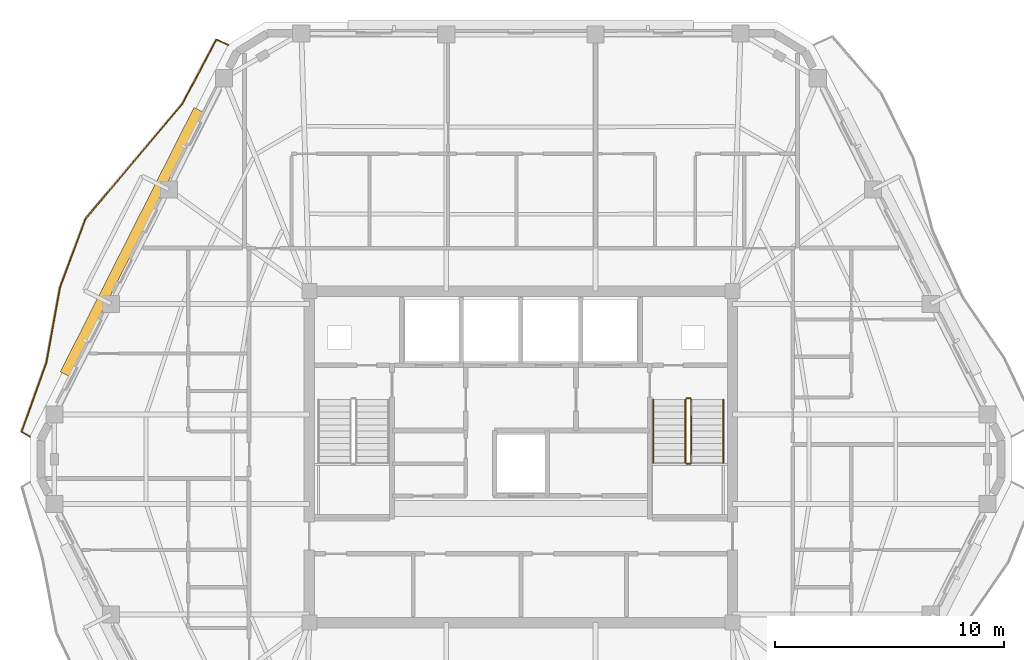
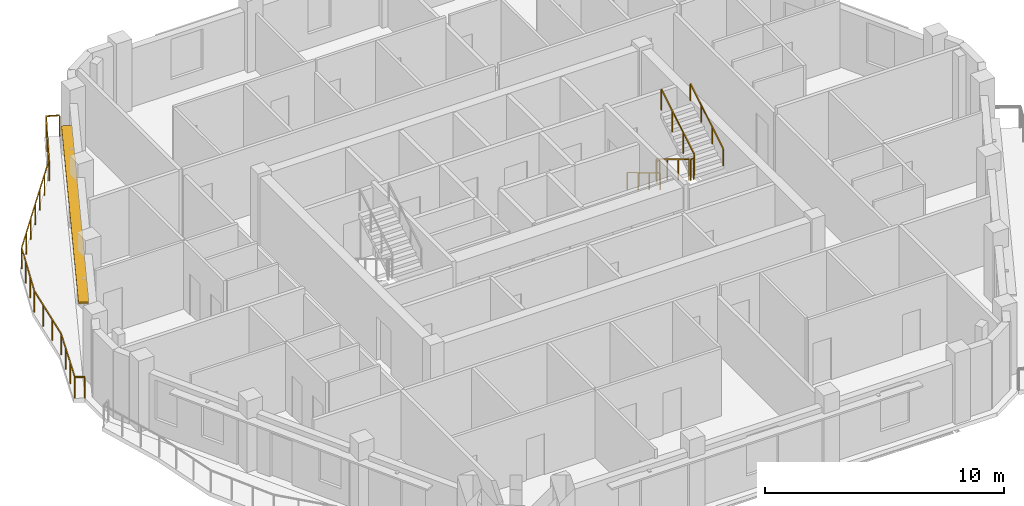
# One storey, part 10 of 11: 7 railings, 1 shading device.
"""IFC4 building model written with IfcOpenShell, lengths in metres."""

from ifc_helpers import new_model, si_unit, direction, frame, origin, origin_2d, place, context, subcontext, project, spatial, rectangle, extrude, material, layer, layer_set, type_object, element, save


model = new_model("IFC4")

# Units and contexts
model_context = context("Model", 3, precision=1e-05, world=origin(), true_north=direction((0.0, 1.0)))
body_context = subcontext(model_context, "Body", "Model", "MODEL_VIEW")
ifc_project = project(units=[si_unit("LENGTHUNIT", "METRE"), si_unit("AREAUNIT", "SQUARE_METRE"), si_unit("VOLUMEUNIT", "CUBIC_METRE"), si_unit("PLANEANGLEUNIT", "RADIAN"), si_unit("MASSUNIT", "GRAM", prefix="KILO")], contexts=[model_context])

# Site, building, storey
site_placement = place(None, origin())
site = spatial("IfcSite", under=ifc_project, at=site_placement, CompositionType="ELEMENT")
building_placement = place(site_placement, origin())
building = spatial("IfcBuilding", under=site, at=building_placement, Name="Cinnabar Lancet Tower", CompositionType="ELEMENT")
storey_placement = place(building_placement, frame((0.0, 0.0, 256.199951171875)))
storey = spatial("IfcBuildingStorey", under=building, at=storey_placement, Name="L68", CompositionType="ELEMENT", Elevation=256.199951171875)

# Railing
ifc_material_1 = material(Name="Laminated safety glass and bronze stainless steel balustrade", Category="steel")
railing_type_1 = type_object("IfcRailingType", Name="ENV-RLG-BAL-1100", PredefinedType="BALUSTRADE", material=ifc_material_1)
railing_1_placement = place(storey_placement, frame((19.638916015625, 43.867919921875, 0.0)))
element("IfcRailing", 1, at=railing_1_placement, inside=storey, type_object=railing_type_1, Name="L68 Face 5 Wave Balcony Balustrade", PredefinedType="BALUSTRADE", context=body_context, shape_type="SweptSolid", body=[
    extrude(rectangle(XDim=0.048095703125, YDim=0.048095703125, at=origin_2d()), frame((0.0, 0.0, 1.076171875), z_axis=(-0.917180435213, 0.398472143647, 0.0), x_axis=(-0.398472143647, -0.917180435213, 0.0)), (0.0, 0.0, 1.0), 0.5625),
    extrude(rectangle(XDim=0.048095703125, YDim=0.048095703125, at=origin_2d()), frame((-0.515869140625, 0.22412109375, 1.076171875), z_axis=(-0.467228523342, -0.884136588416, 0.0), x_axis=(0.884136588416, -0.467228523342, 0.0)), (0.0, 0.0, 1.0), 3.1826171875),
    extrude(rectangle(XDim=0.048095703125, YDim=0.048095703125, at=origin_2d()), frame((-2.0029296875, -2.58984375, 1.076171875), z_axis=(-0.645078125536, -0.764116621959, 0.0), x_axis=(0.764116621959, -0.645078125536, 0.0)), (0.0, 0.0, 1.0), 3.269287109375),
    extrude(rectangle(XDim=0.048095703125, YDim=0.048095703125, at=origin_2d()), frame((-4.11181640625, -5.087890625, 1.076171875), z_axis=(-0.643910235031, -0.765101045106, 0.0), x_axis=(0.765101045106, -0.643910235031, 0.0)), (0.0, 0.0, 1.0), 3.267578125),
    extrude(rectangle(XDim=0.048095703125, YDim=0.048095703125, at=origin_2d()), frame((-6.2158203125, -7.587890625, 1.076171875), z_axis=(-0.348814752376, -0.937191692518, 0.0), x_axis=(0.937191692518, -0.348814752376, 0.0)), (0.0, 0.0, 1.0), 3.199951171875),
    extrude(rectangle(XDim=0.048095703125, YDim=0.048095703125, at=origin_2d()), frame((-7.33203125, -10.5869140625, 1.076171875), z_axis=(-0.178354469145, -0.983966301931, 0.0), x_axis=(0.983966301931, -0.178354469145, 0.0)), (0.0, 0.0, 1.0), 3.318115234375),
    extrude(rectangle(XDim=0.048095703125, YDim=0.048095703125, at=origin_2d()), frame((-7.923828125, -13.851806640625, 1.076171875), z_axis=(-0.336751058688, -0.941593715183, 0.0), x_axis=(0.941593715183, -0.336751058688, 0.0)), (0.0, 0.0, 1.0), 3.207275390625),
    extrude(rectangle(XDim=0.048095703125, YDim=0.048095703125, at=origin_2d()), frame((-9.00390625, -16.871826171875, 1.076171875), z_axis=(0.860753154168, -0.509022600274, 0.0), x_axis=(0.509022600274, 0.860753154168, 0.0)), (0.0, 0.0, 1.0), 0.420654296875),
    extrude(rectangle(XDim=0.0419921875, YDim=0.0419921875, at=origin_2d()), origin(), (0.0, 0.0, 1.0), 1.052001953125),
    extrude(rectangle(XDim=0.0419921875, YDim=0.0419921875, at=origin_2d()), frame((-0.515869140625, 0.22412109375, 0.0)), (0.0, 0.0, 1.0), 1.052001953125),
    extrude(rectangle(XDim=0.0419921875, YDim=0.0419921875, at=origin_2d()), frame((-1.011474609375, -0.7138671875, 0.0)), (0.0, 0.0, 1.0), 1.052001953125),
    extrude(rectangle(XDim=0.0419921875, YDim=0.0419921875, at=origin_2d()), frame((-1.50732421875, -1.65185546875, 0.0)), (0.0, 0.0, 1.0), 1.052001953125),
    extrude(rectangle(XDim=0.0419921875, YDim=0.0419921875, at=origin_2d()), frame((-2.0029296875, -2.58984375, 0.0)), (0.0, 0.0, 1.0), 1.052001953125),
    extrude(rectangle(XDim=0.0419921875, YDim=0.0419921875, at=origin_2d()), frame((-2.705810546875, -3.422607421875, 0.0)), (0.0, 0.0, 1.0), 1.052001953125),
    extrude(rectangle(XDim=0.0419921875, YDim=0.0419921875, at=origin_2d()), frame((-3.408935546875, -4.255126953125, 0.0)), (0.0, 0.0, 1.0), 1.052001953125),
    extrude(rectangle(XDim=0.0419921875, YDim=0.0419921875, at=origin_2d()), frame((-4.11181640625, -5.087890625, 0.0)), (0.0, 0.0, 1.0), 1.052001953125),
    extrude(rectangle(XDim=0.0419921875, YDim=0.0419921875, at=origin_2d()), frame((-4.813232421875, -5.921142578125, 0.0)), (0.0, 0.0, 1.0), 1.052001953125),
    extrude(rectangle(XDim=0.0419921875, YDim=0.0419921875, at=origin_2d()), frame((-5.514404296875, -6.754638671875, 0.0)), (0.0, 0.0, 1.0), 1.052001953125),
    extrude(rectangle(XDim=0.0419921875, YDim=0.0419921875, at=origin_2d()), frame((-6.2158203125, -7.587890625, 0.0)), (0.0, 0.0, 1.0), 1.052001953125),
    extrude(rectangle(XDim=0.0419921875, YDim=0.0419921875, at=origin_2d()), frame((-6.587890625, -8.587646484375, 0.0)), (0.0, 0.0, 1.0), 1.052001953125),
    extrude(rectangle(XDim=0.0419921875, YDim=0.0419921875, at=origin_2d()), frame((-6.9599609375, -9.587158203125, 0.0)), (0.0, 0.0, 1.0), 1.052001953125),
    extrude(rectangle(XDim=0.0419921875, YDim=0.0419921875, at=origin_2d()), frame((-7.33203125, -10.5869140625, 0.0)), (0.0, 0.0, 1.0), 1.052001953125),
    extrude(rectangle(XDim=0.0419921875, YDim=0.0419921875, at=origin_2d()), frame((-7.529296875, -11.67529296875, 0.0)), (0.0, 0.0, 1.0), 1.052001953125),
    extrude(rectangle(XDim=0.0419921875, YDim=0.0419921875, at=origin_2d()), frame((-7.7265625, -12.763427734375, 0.0)), (0.0, 0.0, 1.0), 1.052001953125),
    extrude(rectangle(XDim=0.0419921875, YDim=0.0419921875, at=origin_2d()), frame((-7.923828125, -13.851806640625, 0.0)), (0.0, 0.0, 1.0), 1.052001953125),
    extrude(rectangle(XDim=0.0419921875, YDim=0.0419921875, at=origin_2d()), frame((-8.283935546875, -14.8583984375, 0.0)), (0.0, 0.0, 1.0), 1.052001953125),
    extrude(rectangle(XDim=0.0419921875, YDim=0.0419921875, at=origin_2d()), frame((-8.643798828125, -15.865234375, 0.0)), (0.0, 0.0, 1.0), 1.052001953125),
    extrude(rectangle(XDim=0.0419921875, YDim=0.0419921875, at=origin_2d()), frame((-9.00390625, -16.871826171875, 0.0)), (0.0, 0.0, 1.0), 1.052001953125),
    extrude(rectangle(XDim=0.0419921875, YDim=0.0419921875, at=origin_2d()), frame((-8.641845703125, -17.0859375, 0.0)), (0.0, 0.0, 1.0), 1.052001953125),
])

# Shading device
ifc_material_2 = material(Name="Pale limestone architectural aluminium sunshade", Category="masonry")
ifc_layer = layer(ifc_material_2, 0.080078125)
ifc_layer_set = layer_set([ifc_layer], Name="Pale limestone architectural aluminium sunshade")
shading_device_type = type_object("IfcShadingDeviceType", Name="ENV-SHD-LVR-450", PredefinedType="JALOUSIE", material=ifc_layer_set)
shading_device_placement = place(storey_placement, frame((15.43603515625, 35.27001953125, 2.639892578125), z_axis=(0.0, 0.0, 1.0), x_axis=(-0.451375984307, -0.89233386173, 0.0)))
element("IfcShadingDevice", 2, at=shading_device_placement, inside=storey, type_object=shading_device_type, Name="L68 Face 5 Horizontal Sunshade Canopy", PredefinedType="JALOUSIE", context=body_context, shape_type="SweptSolid", body=[
    extrude(rectangle(XDim=12.912109375, YDim=0.449951171875, at=origin_2d()), origin(), (0.0, 0.0, 1.0), 0.080078125),
])

# Railings
ifc_material_3 = material(Name="Painted galvanized steel balustrade", Category="steel")
railing_type_2 = type_object("IfcRailingType", Name="GUARD-STAIR", PredefinedType="GUARDRAIL", material=ifc_material_3)
railing_2_placement = place(storey_placement, frame((39.574951171875, 28.39990234375, 0.166015625)))
element("IfcRailing", 3, at=railing_2_placement, inside=storey, type_object=railing_type_2, Name="L68 ST-2 stair guard 1", PredefinedType="GUARDRAIL", context=body_context, shape_type="SweptSolid", body=[
    extrude(rectangle(XDim=0.048095703125, YDim=0.048095703125, at=origin_2d()), frame((0.0, 0.0, 1.076171875), z_axis=(0.0, -0.856263023582, 0.516540060834), x_axis=(1.0, 0.0, 0.0)), (0.0, 0.0, 1.0), 3.211669921875),
    extrude(rectangle(XDim=0.0419921875, YDim=0.0419921875, at=origin_2d()), origin(), (0.0, 0.0, 1.0), 1.052001953125),
    extrude(rectangle(XDim=0.0419921875, YDim=0.0419921875, at=origin_2d()), frame((0.0, -0.916748046875, 0.552978515625)), (0.0, 0.0, 1.0), 1.052001953125),
    extrude(rectangle(XDim=0.0419921875, YDim=0.0419921875, at=origin_2d()), frame((0.0, -1.833251953125, 1.10595703125)), (0.0, 0.0, 1.0), 1.052001953125),
    extrude(rectangle(XDim=0.0419921875, YDim=0.0419921875, at=origin_2d()), frame((0.0, -2.75, 1.658935546875)), (0.0, 0.0, 1.0), 1.052001953125),
])
railing_3_placement = place(storey_placement, frame((39.625, 25.60009765625, 1.824951171875)))
element("IfcRailing", 4, at=railing_3_placement, inside=storey, type_object=railing_type_2, Name="L68 ST-2 stair guard 2", PredefinedType="GUARDRAIL", context=body_context, shape_type="SweptSolid", body=[
    extrude(rectangle(XDim=0.048095703125, YDim=0.048095703125, at=origin_2d()), frame((0.0, 0.0, 1.076171875), z_axis=(1.0, 0.0, 0.0), x_axis=(0.0, 1.0, 0.0)), (0.0, 0.0, 1.0), 0.14990234375),
    extrude(rectangle(XDim=0.0419921875, YDim=0.0419921875, at=origin_2d()), origin(), (0.0, 0.0, 1.0), 1.052001953125),
    extrude(rectangle(XDim=0.0419921875, YDim=0.0419921875, at=origin_2d()), frame((0.14990234375, 0.0, 0.0)), (0.0, 0.0, 1.0), 1.052001953125),
])
railing_4_placement = place(storey_placement, frame((39.824951171875, 25.64990234375, 1.990966796875)))
element("IfcRailing", 5, at=railing_4_placement, inside=storey, type_object=railing_type_2, Name="L68 ST-2 stair guard 3", PredefinedType="GUARDRAIL", context=body_context, shape_type="SweptSolid", body=[
    extrude(rectangle(XDim=0.048095703125, YDim=0.048095703125, at=origin_2d()), frame((0.0, 0.0, 1.076171875), z_axis=(0.0, 0.856229400918, 0.51659579267), x_axis=(-1.0, 0.0, 0.0)), (0.0, 0.0, 1.0), 3.211669921875),
    extrude(rectangle(XDim=0.0419921875, YDim=0.0419921875, at=origin_2d()), origin(), (0.0, 0.0, 1.0), 1.052001953125),
    extrude(rectangle(XDim=0.0419921875, YDim=0.0419921875, at=origin_2d()), frame((0.0, 0.916748046875, 0.552978515625)), (0.0, 0.0, 1.0), 1.052001953125),
    extrude(rectangle(XDim=0.0419921875, YDim=0.0419921875, at=origin_2d()), frame((0.0, 1.833251953125, 1.106201171875)), (0.0, 0.0, 1.0), 1.052001953125),
    extrude(rectangle(XDim=0.0419921875, YDim=0.0419921875, at=origin_2d()), frame((0.0, 2.75, 1.6591796875)), (0.0, 0.0, 1.0), 1.052001953125),
])
railing_5_placement = place(storey_placement, frame((39.625, 28.449951171875, 0.0)))
element("IfcRailing", 6, at=railing_5_placement, inside=storey, type_object=railing_type_2, Name="L68 ST-2 stair guard 4", PredefinedType="GUARDRAIL", context=body_context, shape_type="SweptSolid", body=[
    extrude(rectangle(XDim=0.048095703125, YDim=0.048095703125, at=origin_2d()), frame((0.0, 0.0, 1.076171875), z_axis=(1.0, 0.0, 0.0), x_axis=(0.0, 1.0, 0.0)), (0.0, 0.0, 1.0), 0.14990234375),
    extrude(rectangle(XDim=0.0419921875, YDim=0.0419921875, at=origin_2d()), origin(), (0.0, 0.0, 1.0), 1.052001953125),
    extrude(rectangle(XDim=0.0419921875, YDim=0.0419921875, at=origin_2d()), frame((0.14990234375, 0.0, 0.0)), (0.0, 0.0, 1.0), 1.052001953125),
])
ifc_material_4 = material(Name="Brushed stainless steel handrail", Category="steel")
railing_type_3 = type_object("IfcRailingType", Name="HANDRAIL-STAIR", PredefinedType="HANDRAIL", material=ifc_material_4)
railing_6_placement = place(storey_placement, frame((38.175048828125, 28.39990234375, 0.166015625)))
element("IfcRailing", 7, at=railing_6_placement, inside=storey, type_object=railing_type_3, Name="L68 ST-2 stair handrail 1", PredefinedType="HANDRAIL", context=body_context, shape_type="SweptSolid", body=[
    extrude(rectangle(XDim=0.048095703125, YDim=0.048095703125, at=origin_2d()), frame((0.0, 0.0, 0.8759765625), z_axis=(0.0, -0.856263023582, 0.516540060834), x_axis=(1.0, 0.0, 0.0)), (0.0, 0.0, 1.0), 3.211669921875),
    extrude(rectangle(XDim=0.0419921875, YDim=0.0419921875, at=origin_2d()), origin(), (0.0, 0.0, 1.0), 0.851806640625),
    extrude(rectangle(XDim=0.0419921875, YDim=0.0419921875, at=origin_2d()), frame((0.0, -0.916748046875, 0.552978515625)), (0.0, 0.0, 1.0), 0.851806640625),
    extrude(rectangle(XDim=0.0419921875, YDim=0.0419921875, at=origin_2d()), frame((0.0, -1.833251953125, 1.10595703125)), (0.0, 0.0, 1.0), 0.851806640625),
    extrude(rectangle(XDim=0.0419921875, YDim=0.0419921875, at=origin_2d()), frame((0.0, -2.75, 1.658935546875)), (0.0, 0.0, 1.0), 0.851806640625),
])
railing_7_placement = place(storey_placement, frame((41.22509765625, 25.64990234375, 1.990966796875)))
element("IfcRailing", 8, at=railing_7_placement, inside=storey, type_object=railing_type_3, Name="L68 ST-2 stair handrail 2", PredefinedType="HANDRAIL", context=body_context, shape_type="SweptSolid", body=[
    extrude(rectangle(XDim=0.048095703125, YDim=0.048095703125, at=origin_2d()), frame((0.0, 0.0, 0.8759765625), z_axis=(0.0, 0.856229400918, 0.51659579267), x_axis=(-1.0, 0.0, 0.0)), (0.0, 0.0, 1.0), 3.211669921875),
    extrude(rectangle(XDim=0.0419921875, YDim=0.0419921875, at=origin_2d()), origin(), (0.0, 0.0, 1.0), 0.851806640625),
    extrude(rectangle(XDim=0.0419921875, YDim=0.0419921875, at=origin_2d()), frame((0.0, 0.916748046875, 0.552978515625)), (0.0, 0.0, 1.0), 0.851806640625),
    extrude(rectangle(XDim=0.0419921875, YDim=0.0419921875, at=origin_2d()), frame((0.0, 1.833251953125, 1.106201171875)), (0.0, 0.0, 1.0), 0.851806640625),
    extrude(rectangle(XDim=0.0419921875, YDim=0.0419921875, at=origin_2d()), frame((0.0, 2.75, 1.6591796875)), (0.0, 0.0, 1.0), 0.851806640625),
])

save(model, "model.ifc")
